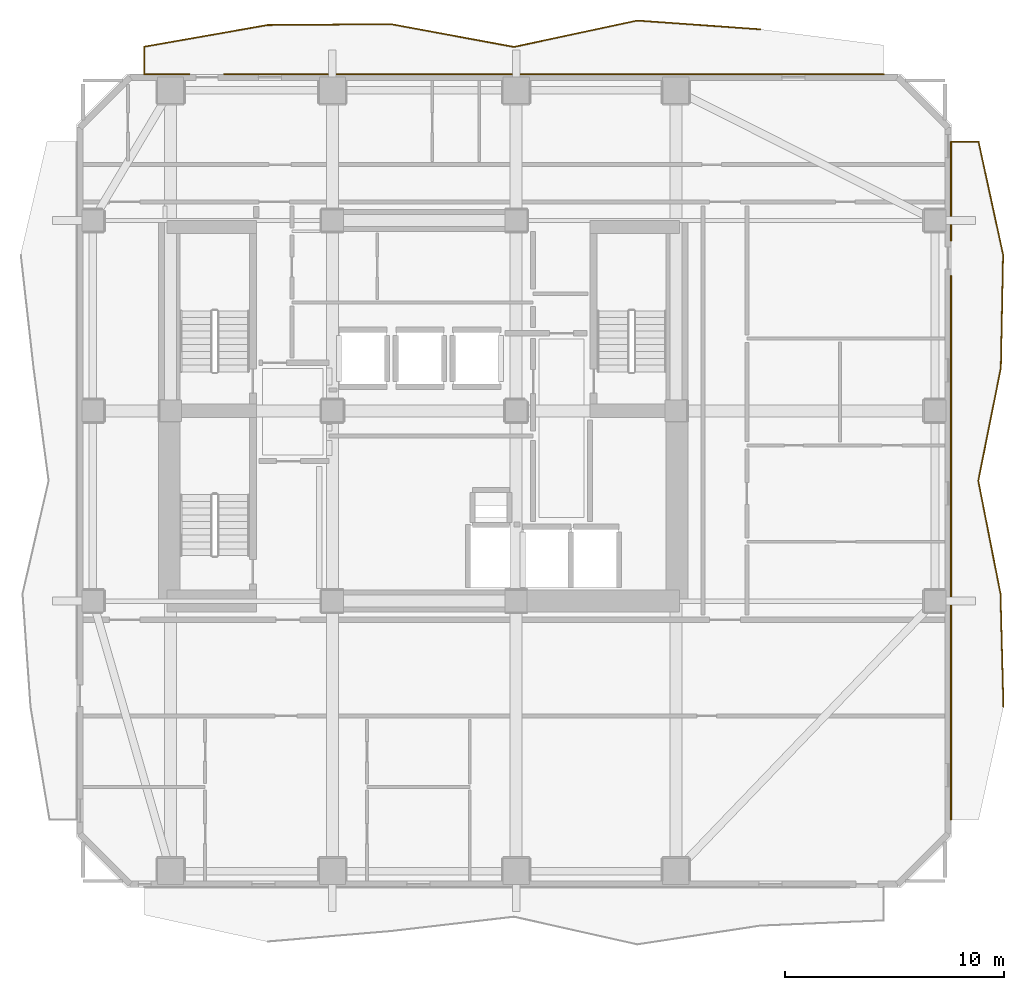
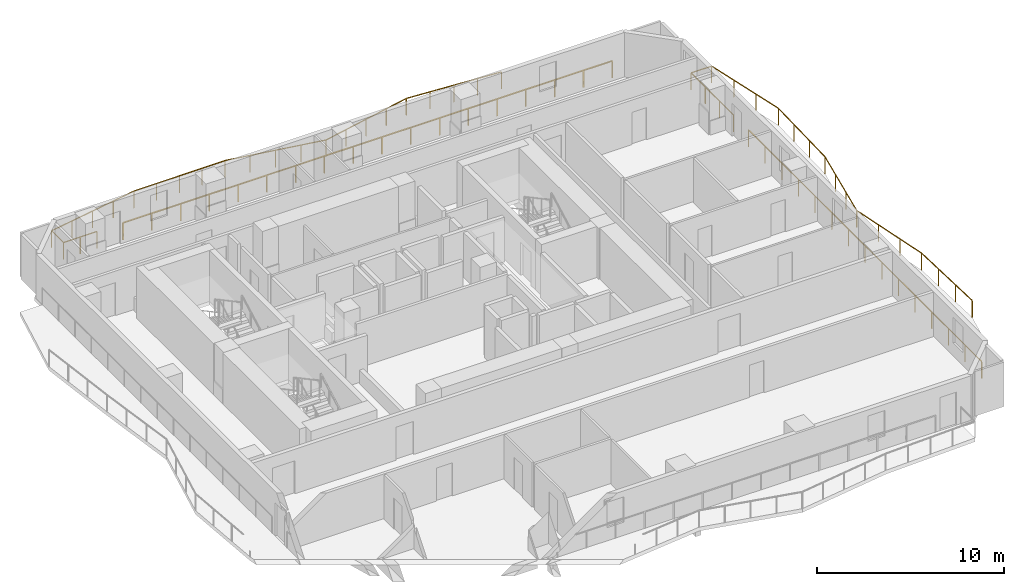
# One storey, part 9 of 9: 4 railings.
"""IFC4 building model written with IfcOpenShell, lengths in metres."""

from ifc_helpers import new_model, si_unit, direction, frame, origin, origin_2d, place, context, subcontext, project, spatial, rectangle, extrude, material, type_object, element, save


model = new_model("IFC4")

# Units and contexts
model_context = context("Model", 3, precision=1e-05, world=origin(), true_north=direction((0.0, 1.0)))
body_context = subcontext(model_context, "Body", "Model", "MODEL_VIEW")
ifc_project = project(units=[si_unit("LENGTHUNIT", "METRE"), si_unit("AREAUNIT", "SQUARE_METRE"), si_unit("VOLUMEUNIT", "CUBIC_METRE"), si_unit("PLANEANGLEUNIT", "RADIAN"), si_unit("MASSUNIT", "GRAM", prefix="KILO")], contexts=[model_context])

# Site, building, storey
site_placement = place(None, origin())
site = spatial("IfcSite", under=ifc_project, at=site_placement, CompositionType="ELEMENT")
building_placement = place(site_placement, origin())
building = spatial("IfcBuilding", under=site, at=building_placement, Name="Solanera Arch Residences", CompositionType="ELEMENT")
storey_placement = place(building_placement, frame((0.0, 0.0, 142.60009765625)))
storey = spatial("IfcBuildingStorey", under=building, at=storey_placement, Name="L41", CompositionType="ELEMENT", Elevation=142.60009765625)

# Railings
ifc_material = material(Name="Steel S355 (ASTM A992 / A572 Grade 50)", Category="steel")
railing_type = type_object("IfcRailingType", Name="Balustrade Railing BL-1100", PredefinedType="BALUSTRADE", material=ifc_material)
railing_1_placement = place(storey_placement, frame((40.366943359375, 48.14208984375, 0.0)))
element("IfcRailing", 1, at=railing_1_placement, inside=storey, type_object=railing_type, Name="L41 N Balcony Balustrade 1", PredefinedType="BALUSTRADE", context=body_context, shape_type="SweptSolid", body=[
    extrude(rectangle(XDim=0.048095703125, YDim=0.048095703125, at=origin_2d()), frame((0.0, 0.0, 1.09619140625), z_axis=(-0.997490415327, 0.070801633674, 0.0), x_axis=(-0.070801633674, -0.997490415327, 0.0)), (0.0, 0.0, 1.0), 5.648193359375),
    extrude(rectangle(XDim=0.048095703125, YDim=0.048095703125, at=origin_2d()), frame((-5.634033203125, 0.39990234375, 1.09619140625), z_axis=(-0.977871827908, -0.209204895222, 0.0), x_axis=(0.209204895222, -0.977871827908, 0.0)), (0.0, 0.0, 1.0), 5.76025390625),
    extrude(rectangle(XDim=0.048095703125, YDim=0.048095703125, at=origin_2d()), frame((-11.266845703125, -0.80517578125, 1.09619140625), z_axis=(-0.983318442072, 0.181892389839, 0.0), x_axis=(-0.181892389839, -0.983318442072, 0.0)), (0.0, 0.0, 1.0), 5.728515625),
    extrude(rectangle(XDim=0.048095703125, YDim=0.048095703125, at=origin_2d()), frame((-16.89990234375, 0.23681640625, 1.09619140625), z_axis=(-0.999972225253, -0.007453101475, 0.0), x_axis=(0.007453101475, -0.999972225253, 0.0)), (0.0, 0.0, 1.0), 5.63427734375),
    extrude(rectangle(XDim=0.048095703125, YDim=0.048095703125, at=origin_2d()), frame((-22.533935546875, 0.19482421875, 1.09619140625), z_axis=(-0.984876237239, -0.173259335455, 0.0), x_axis=(0.173259335455, -0.984876237239, 0.0)), (0.0, 0.0, 1.0), 5.719482421875),
    extrude(rectangle(XDim=0.048095703125, YDim=0.048095703125, at=origin_2d()), frame((-28.1669921875, -0.796142578125, 1.09619140625), z_axis=(0.0, -1.0, 0.0), x_axis=(1.0, 0.0, 0.0)), (0.0, 0.0, 1.0), 1.265869140625),
    extrude(rectangle(XDim=0.048095703125, YDim=0.048095703125, at=origin_2d()), frame((-28.1669921875, -2.06201171875, 1.09619140625), z_axis=(1.0, 0.0, 0.0), x_axis=(0.0, 1.0, 0.0)), (0.0, 0.0, 1.0), 2.06396484375),
    extrude(rectangle(XDim=0.0419921875, YDim=0.0419921875, at=origin_2d()), origin(), (0.0, 0.0, 1.0), 1.072021484375),
    extrude(rectangle(XDim=0.0419921875, YDim=0.0419921875, at=origin_2d()), frame((-1.408447265625, 0.10009765625, 0.0)), (0.0, 0.0, 1.0), 1.072021484375),
    extrude(rectangle(XDim=0.0419921875, YDim=0.0419921875, at=origin_2d()), frame((-2.81689453125, 0.199951171875, 0.0)), (0.0, 0.0, 1.0), 1.072021484375),
    extrude(rectangle(XDim=0.0419921875, YDim=0.0419921875, at=origin_2d()), frame((-4.2255859375, 0.2998046875, 0.0)), (0.0, 0.0, 1.0), 1.072021484375),
    extrude(rectangle(XDim=0.0419921875, YDim=0.0419921875, at=origin_2d()), frame((-5.634033203125, 0.39990234375, 0.0)), (0.0, 0.0, 1.0), 1.072021484375),
    extrude(rectangle(XDim=0.0419921875, YDim=0.0419921875, at=origin_2d()), frame((-7.042236328125, 0.0986328125, 0.0)), (0.0, 0.0, 1.0), 1.072021484375),
    extrude(rectangle(XDim=0.0419921875, YDim=0.0419921875, at=origin_2d()), frame((-8.450439453125, -0.20263671875, 0.0)), (0.0, 0.0, 1.0), 1.072021484375),
    extrude(rectangle(XDim=0.0419921875, YDim=0.0419921875, at=origin_2d()), frame((-9.858642578125, -0.50390625, 0.0)), (0.0, 0.0, 1.0), 1.072021484375),
    extrude(rectangle(XDim=0.0419921875, YDim=0.0419921875, at=origin_2d()), frame((-11.266845703125, -0.80517578125, 0.0)), (0.0, 0.0, 1.0), 1.072021484375),
    extrude(rectangle(XDim=0.0419921875, YDim=0.0419921875, at=origin_2d()), frame((-12.675048828125, -0.544677734375, 0.0)), (0.0, 0.0, 1.0), 1.072021484375),
    extrude(rectangle(XDim=0.0419921875, YDim=0.0419921875, at=origin_2d()), frame((-14.08349609375, -0.2841796875, 0.0)), (0.0, 0.0, 1.0), 1.072021484375),
    extrude(rectangle(XDim=0.0419921875, YDim=0.0419921875, at=origin_2d()), frame((-15.49169921875, -0.023681640625, 0.0)), (0.0, 0.0, 1.0), 1.072021484375),
    extrude(rectangle(XDim=0.0419921875, YDim=0.0419921875, at=origin_2d()), frame((-16.89990234375, 0.23681640625, 0.0)), (0.0, 0.0, 1.0), 1.072021484375),
    extrude(rectangle(XDim=0.0419921875, YDim=0.0419921875, at=origin_2d()), frame((-18.308349609375, 0.226318359375, 0.0)), (0.0, 0.0, 1.0), 1.072021484375),
    extrude(rectangle(XDim=0.0419921875, YDim=0.0419921875, at=origin_2d()), frame((-19.716796875, 0.2158203125, 0.0)), (0.0, 0.0, 1.0), 1.072021484375),
    extrude(rectangle(XDim=0.0419921875, YDim=0.0419921875, at=origin_2d()), frame((-21.12548828125, 0.205322265625, 0.0)), (0.0, 0.0, 1.0), 1.072021484375),
    extrude(rectangle(XDim=0.0419921875, YDim=0.0419921875, at=origin_2d()), frame((-22.533935546875, 0.19482421875, 0.0)), (0.0, 0.0, 1.0), 1.072021484375),
    extrude(rectangle(XDim=0.0419921875, YDim=0.0419921875, at=origin_2d()), frame((-23.942138671875, -0.052978515625, 0.0)), (0.0, 0.0, 1.0), 1.072021484375),
    extrude(rectangle(XDim=0.0419921875, YDim=0.0419921875, at=origin_2d()), frame((-25.3505859375, -0.30078125, 0.0)), (0.0, 0.0, 1.0), 1.072021484375),
    extrude(rectangle(XDim=0.0419921875, YDim=0.0419921875, at=origin_2d()), frame((-26.7587890625, -0.54833984375, 0.0)), (0.0, 0.0, 1.0), 1.072021484375),
    extrude(rectangle(XDim=0.0419921875, YDim=0.0419921875, at=origin_2d()), frame((-28.1669921875, -0.796142578125, 0.0)), (0.0, 0.0, 1.0), 1.072021484375),
    extrude(rectangle(XDim=0.0419921875, YDim=0.0419921875, at=origin_2d()), frame((-28.1669921875, -2.06201171875, 0.0)), (0.0, 0.0, 1.0), 1.072021484375),
    extrude(rectangle(XDim=0.0419921875, YDim=0.0419921875, at=origin_2d()), frame((-27.135009765625, -2.06201171875, 0.0)), (0.0, 0.0, 1.0), 1.072021484375),
    extrude(rectangle(XDim=0.0419921875, YDim=0.0419921875, at=origin_2d()), frame((-26.10302734375, -2.06201171875, 0.0)), (0.0, 0.0, 1.0), 1.072021484375),
])
railing_2_placement = place(storey_placement, frame((15.864013671875, 46.080078125, 0.0)))
element("IfcRailing", 2, at=railing_2_placement, inside=storey, type_object=railing_type, Name="L41 N Balcony Balustrade 2", PredefinedType="BALUSTRADE", context=body_context, shape_type="SweptSolid", body=[
    extrude(rectangle(XDim=0.048095703125, YDim=0.048095703125, at=origin_2d()), frame((0.0, 0.0, 1.09619140625), z_axis=(1.0, 0.0, 0.0), x_axis=(0.0, 1.0, 0.0)), (0.0, 0.0, 1.0), 30.135986328125),
    extrude(rectangle(XDim=0.0419921875, YDim=0.0419921875, at=origin_2d()), origin(), (0.0, 0.0, 1.0), 1.072021484375),
    extrude(rectangle(XDim=0.0419921875, YDim=0.0419921875, at=origin_2d()), frame((1.772705078125, 0.0, 0.0)), (0.0, 0.0, 1.0), 1.072021484375),
    extrude(rectangle(XDim=0.0419921875, YDim=0.0419921875, at=origin_2d()), frame((3.54541015625, 0.0, 0.0)), (0.0, 0.0, 1.0), 1.072021484375),
    extrude(rectangle(XDim=0.0419921875, YDim=0.0419921875, at=origin_2d()), frame((5.318115234375, 0.0, 0.0)), (0.0, 0.0, 1.0), 1.072021484375),
    extrude(rectangle(XDim=0.0419921875, YDim=0.0419921875, at=origin_2d()), frame((7.0908203125, 0.0, 0.0)), (0.0, 0.0, 1.0), 1.072021484375),
    extrude(rectangle(XDim=0.0419921875, YDim=0.0419921875, at=origin_2d()), frame((8.863525390625, 0.0, 0.0)), (0.0, 0.0, 1.0), 1.072021484375),
    extrude(rectangle(XDim=0.0419921875, YDim=0.0419921875, at=origin_2d()), frame((10.63623046875, 0.0, 0.0)), (0.0, 0.0, 1.0), 1.072021484375),
    extrude(rectangle(XDim=0.0419921875, YDim=0.0419921875, at=origin_2d()), frame((12.408935546875, 0.0, 0.0)), (0.0, 0.0, 1.0), 1.072021484375),
    extrude(rectangle(XDim=0.0419921875, YDim=0.0419921875, at=origin_2d()), frame((14.181640625, 0.0, 0.0)), (0.0, 0.0, 1.0), 1.072021484375),
    extrude(rectangle(XDim=0.0419921875, YDim=0.0419921875, at=origin_2d()), frame((15.954345703125, 0.0, 0.0)), (0.0, 0.0, 1.0), 1.072021484375),
    extrude(rectangle(XDim=0.0419921875, YDim=0.0419921875, at=origin_2d()), frame((17.72705078125, 0.0, 0.0)), (0.0, 0.0, 1.0), 1.072021484375),
    extrude(rectangle(XDim=0.0419921875, YDim=0.0419921875, at=origin_2d()), frame((19.499755859375, 0.0, 0.0)), (0.0, 0.0, 1.0), 1.072021484375),
    extrude(rectangle(XDim=0.0419921875, YDim=0.0419921875, at=origin_2d()), frame((21.2724609375, 0.0, 0.0)), (0.0, 0.0, 1.0), 1.072021484375),
    extrude(rectangle(XDim=0.0419921875, YDim=0.0419921875, at=origin_2d()), frame((23.045166015625, 0.0, 0.0)), (0.0, 0.0, 1.0), 1.072021484375),
    extrude(rectangle(XDim=0.0419921875, YDim=0.0419921875, at=origin_2d()), frame((24.81787109375, 0.0, 0.0)), (0.0, 0.0, 1.0), 1.072021484375),
    extrude(rectangle(XDim=0.0419921875, YDim=0.0419921875, at=origin_2d()), frame((26.590576171875, 0.0, 0.0)), (0.0, 0.0, 1.0), 1.072021484375),
    extrude(rectangle(XDim=0.0419921875, YDim=0.0419921875, at=origin_2d()), frame((28.36328125, 0.0, 0.0)), (0.0, 0.0, 1.0), 1.072021484375),
    extrude(rectangle(XDim=0.0419921875, YDim=0.0419921875, at=origin_2d()), frame((30.135986328125, 0.0, 0.0)), (0.0, 0.0, 1.0), 1.072021484375),
])
railing_3_placement = place(storey_placement, frame((51.47998046875, 17.1669921875, 0.0)))
element("IfcRailing", 3, at=railing_3_placement, inside=storey, type_object=railing_type, Name="L41 E Balcony Balustrade 1", PredefinedType="BALUSTRADE", context=body_context, shape_type="SweptSolid", body=[
    extrude(rectangle(XDim=0.048095703125, YDim=0.048095703125, at=origin_2d()), frame((0.0, 0.0, 1.09619140625), z_axis=(-0.025936451461, 0.999663593658, 0.0), x_axis=(-0.999663593658, -0.025936451461, 0.0)), (0.0, 0.0, 1.0), 5.167724609375),
    extrude(rectangle(XDim=0.048095703125, YDim=0.048095703125, at=origin_2d()), frame((-0.134033203125, 5.166015625, 1.09619140625), z_axis=(-0.192914295772, 0.981215610601, 0.0), x_axis=(-0.981215610601, -0.192914295772, 0.0)), (0.0, 0.0, 1.0), 5.265869140625),
    extrude(rectangle(XDim=0.048095703125, YDim=0.048095703125, at=origin_2d()), frame((-1.14990234375, 10.3330078125, 1.09619140625), z_axis=(0.195857722024, 0.980632322904, 0.0), x_axis=(-0.980632322904, 0.195857722024, 0.0)), (0.0, 0.0, 1.0), 5.26904296875),
    extrude(rectangle(XDim=0.048095703125, YDim=0.048095703125, at=origin_2d()), frame((-0.117919921875, 15.5, 1.09619140625), z_axis=(0.019939324338, 0.99980119191, 0.0), x_axis=(-0.99980119191, 0.019939324338, 0.0)), (0.0, 0.0, 1.0), 5.1669921875),
    extrude(rectangle(XDim=0.048095703125, YDim=0.048095703125, at=origin_2d()), frame((-0.014892578125, 20.666015625, 1.09619140625), z_axis=(-0.212391306387, 0.977184697471, 0.0), x_axis=(-0.977184697471, -0.212391306387, 0.0)), (0.0, 0.0, 1.0), 5.28759765625),
    extrude(rectangle(XDim=0.048095703125, YDim=0.048095703125, at=origin_2d()), frame((-1.137939453125, 25.8330078125, 1.09619140625), z_axis=(-1.0, 0.0, 0.0), x_axis=(0.0, -1.0, 0.0)), (0.0, 0.0, 1.0), 1.261962890625),
    extrude(rectangle(XDim=0.048095703125, YDim=0.048095703125, at=origin_2d()), frame((-2.39990234375, 25.8330078125, 1.09619140625), z_axis=(0.0, -1.0, 0.0), x_axis=(1.0, 0.0, 0.0)), (0.0, 0.0, 1.0), 4.52197265625),
    extrude(rectangle(XDim=0.0419921875, YDim=0.0419921875, at=origin_2d()), origin(), (0.0, 0.0, 1.0), 1.072021484375),
    extrude(rectangle(XDim=0.0419921875, YDim=0.0419921875, at=origin_2d()), frame((-0.044677734375, 1.721923828125, 0.0)), (0.0, 0.0, 1.0), 1.072021484375),
    extrude(rectangle(XDim=0.0419921875, YDim=0.0419921875, at=origin_2d()), frame((-0.08935546875, 3.444091796875, 0.0)), (0.0, 0.0, 1.0), 1.072021484375),
    extrude(rectangle(XDim=0.0419921875, YDim=0.0419921875, at=origin_2d()), frame((-0.134033203125, 5.166015625, 0.0)), (0.0, 0.0, 1.0), 1.072021484375),
    extrude(rectangle(XDim=0.0419921875, YDim=0.0419921875, at=origin_2d()), frame((-0.47265625, 6.888427734375, 0.0)), (0.0, 0.0, 1.0), 1.072021484375),
    extrude(rectangle(XDim=0.0419921875, YDim=0.0419921875, at=origin_2d()), frame((-0.811279296875, 8.610595703125, 0.0)), (0.0, 0.0, 1.0), 1.072021484375),
    extrude(rectangle(XDim=0.0419921875, YDim=0.0419921875, at=origin_2d()), frame((-1.14990234375, 10.3330078125, 0.0)), (0.0, 0.0, 1.0), 1.072021484375),
    extrude(rectangle(XDim=0.0419921875, YDim=0.0419921875, at=origin_2d()), frame((-0.805908203125, 12.055419921875, 0.0)), (0.0, 0.0, 1.0), 1.072021484375),
    extrude(rectangle(XDim=0.0419921875, YDim=0.0419921875, at=origin_2d()), frame((-0.4619140625, 13.777587890625, 0.0)), (0.0, 0.0, 1.0), 1.072021484375),
    extrude(rectangle(XDim=0.0419921875, YDim=0.0419921875, at=origin_2d()), frame((-0.117919921875, 15.5, 0.0)), (0.0, 0.0, 1.0), 1.072021484375),
    extrude(rectangle(XDim=0.0419921875, YDim=0.0419921875, at=origin_2d()), frame((-0.08349609375, 17.221923828125, 0.0)), (0.0, 0.0, 1.0), 1.072021484375),
    extrude(rectangle(XDim=0.0419921875, YDim=0.0419921875, at=origin_2d()), frame((-0.04931640625, 18.944091796875, 0.0)), (0.0, 0.0, 1.0), 1.072021484375),
    extrude(rectangle(XDim=0.0419921875, YDim=0.0419921875, at=origin_2d()), frame((-0.014892578125, 20.666015625, 0.0)), (0.0, 0.0, 1.0), 1.072021484375),
    extrude(rectangle(XDim=0.0419921875, YDim=0.0419921875, at=origin_2d()), frame((-0.38916015625, 22.388427734375, 0.0)), (0.0, 0.0, 1.0), 1.072021484375),
    extrude(rectangle(XDim=0.0419921875, YDim=0.0419921875, at=origin_2d()), frame((-0.763671875, 24.110595703125, 0.0)), (0.0, 0.0, 1.0), 1.072021484375),
    extrude(rectangle(XDim=0.0419921875, YDim=0.0419921875, at=origin_2d()), frame((-1.137939453125, 25.8330078125, 0.0)), (0.0, 0.0, 1.0), 1.072021484375),
    extrude(rectangle(XDim=0.0419921875, YDim=0.0419921875, at=origin_2d()), frame((-2.39990234375, 25.8330078125, 0.0)), (0.0, 0.0, 1.0), 1.072021484375),
    extrude(rectangle(XDim=0.0419921875, YDim=0.0419921875, at=origin_2d()), frame((-2.39990234375, 24.32568359375, 0.0)), (0.0, 0.0, 1.0), 1.072021484375),
    extrude(rectangle(XDim=0.0419921875, YDim=0.0419921875, at=origin_2d()), frame((-2.39990234375, 22.818359375, 0.0)), (0.0, 0.0, 1.0), 1.072021484375),
    extrude(rectangle(XDim=0.0419921875, YDim=0.0419921875, at=origin_2d()), frame((-2.39990234375, 21.31103515625, 0.0)), (0.0, 0.0, 1.0), 1.072021484375),
])
railing_4_placement = place(storey_placement, frame((49.080078125, 36.8779296875, 0.0)))
element("IfcRailing", 4, at=railing_4_placement, inside=storey, type_object=railing_type, Name="L41 E Balcony Balustrade 2", PredefinedType="BALUSTRADE", context=body_context, shape_type="SweptSolid", body=[
    extrude(rectangle(XDim=0.048095703125, YDim=0.048095703125, at=origin_2d()), frame((0.0, 0.0, 1.09619140625), z_axis=(0.0, -1.0, 0.0), x_axis=(1.0, 0.0, 0.0)), (0.0, 0.0, 1.0), 24.8779296875),
    extrude(rectangle(XDim=0.0419921875, YDim=0.0419921875, at=origin_2d()), origin(), (0.0, 0.0, 1.0), 1.072021484375),
    extrude(rectangle(XDim=0.0419921875, YDim=0.0419921875, at=origin_2d()), frame((0.0, -1.777099609375, 0.0)), (0.0, 0.0, 1.0), 1.072021484375),
    extrude(rectangle(XDim=0.0419921875, YDim=0.0419921875, at=origin_2d()), frame((0.0, -3.553955078125, 0.0)), (0.0, 0.0, 1.0), 1.072021484375),
    extrude(rectangle(XDim=0.0419921875, YDim=0.0419921875, at=origin_2d()), frame((0.0, -5.3310546875, 0.0)), (0.0, 0.0, 1.0), 1.072021484375),
    extrude(rectangle(XDim=0.0419921875, YDim=0.0419921875, at=origin_2d()), frame((0.0, -7.10791015625, 0.0)), (0.0, 0.0, 1.0), 1.072021484375),
    extrude(rectangle(XDim=0.0419921875, YDim=0.0419921875, at=origin_2d()), frame((0.0, -8.885009765625, 0.0)), (0.0, 0.0, 1.0), 1.072021484375),
    extrude(rectangle(XDim=0.0419921875, YDim=0.0419921875, at=origin_2d()), frame((0.0, -10.661865234375, 0.0)), (0.0, 0.0, 1.0), 1.072021484375),
    extrude(rectangle(XDim=0.0419921875, YDim=0.0419921875, at=origin_2d()), frame((0.0, -12.43896484375, 0.0)), (0.0, 0.0, 1.0), 1.072021484375),
    extrude(rectangle(XDim=0.0419921875, YDim=0.0419921875, at=origin_2d()), frame((0.0, -14.216064453125, 0.0)), (0.0, 0.0, 1.0), 1.072021484375),
    extrude(rectangle(XDim=0.0419921875, YDim=0.0419921875, at=origin_2d()), frame((0.0, -15.992919921875, 0.0)), (0.0, 0.0, 1.0), 1.072021484375),
    extrude(rectangle(XDim=0.0419921875, YDim=0.0419921875, at=origin_2d()), frame((0.0, -17.77001953125, 0.0)), (0.0, 0.0, 1.0), 1.072021484375),
    extrude(rectangle(XDim=0.0419921875, YDim=0.0419921875, at=origin_2d()), frame((0.0, -19.546875, 0.0)), (0.0, 0.0, 1.0), 1.072021484375),
    extrude(rectangle(XDim=0.0419921875, YDim=0.0419921875, at=origin_2d()), frame((0.0, -21.323974609375, 0.0)), (0.0, 0.0, 1.0), 1.072021484375),
    extrude(rectangle(XDim=0.0419921875, YDim=0.0419921875, at=origin_2d()), frame((0.0, -23.100830078125, 0.0)), (0.0, 0.0, 1.0), 1.072021484375),
    extrude(rectangle(XDim=0.0419921875, YDim=0.0419921875, at=origin_2d()), frame((0.0, -24.8779296875, 0.0)), (0.0, 0.0, 1.0), 1.072021484375),
])

save(model, "model.ifc")
